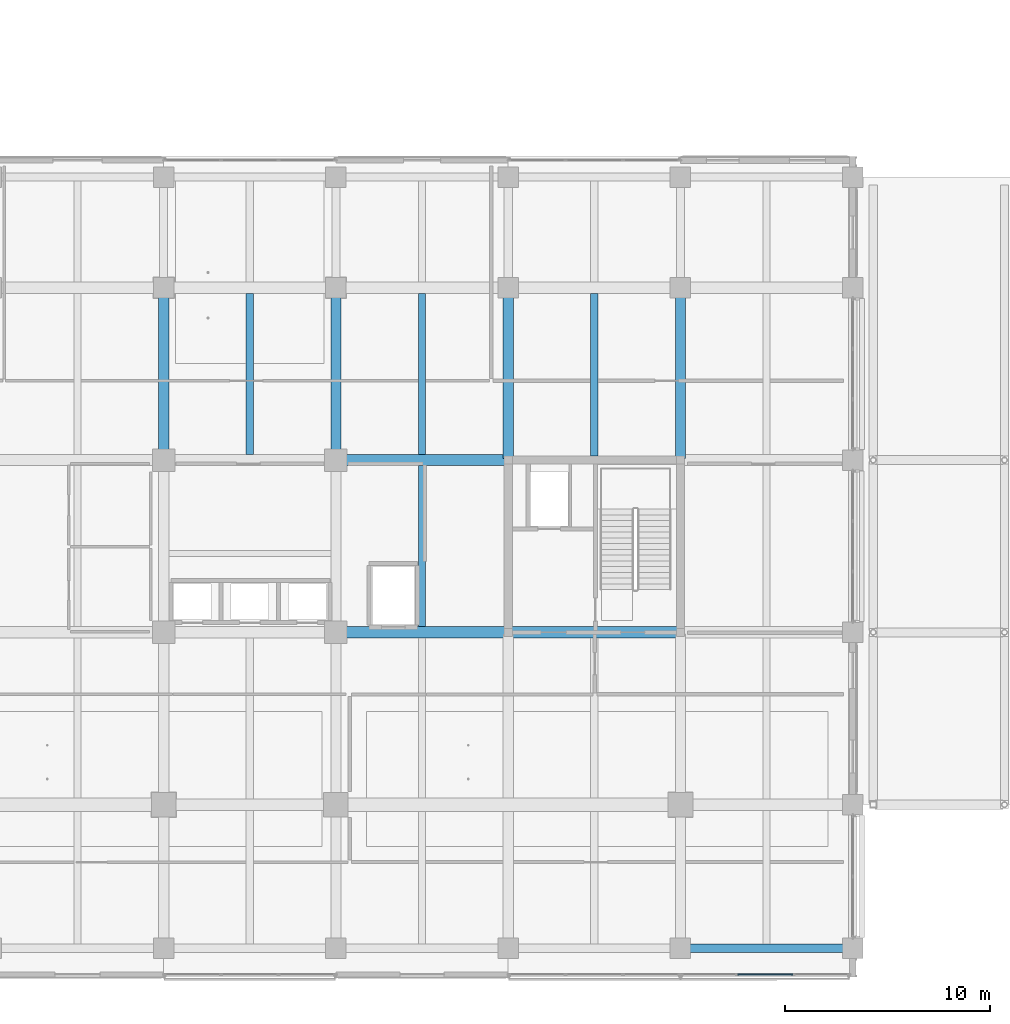
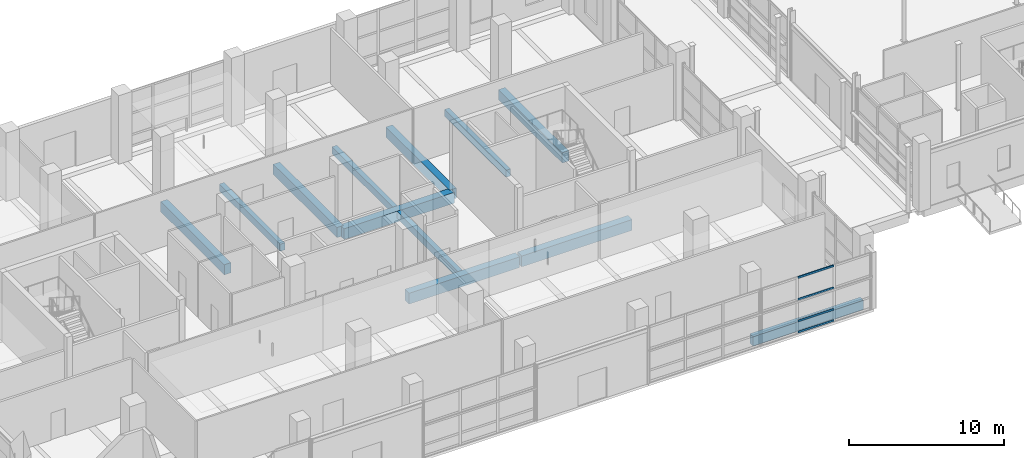
# One storey, part 30 of 140: 12 beams, 4 members, 1 element without a shape of its own.
"""IFC4 building model written with IfcOpenShell, lengths in metres."""

from ifc_helpers import new_model, si_unit, direction, frame, origin, origin_2d, place, context, subcontext, project, spatial, rectangle, extrude, material, layer, layer_set, material_profile, profile_set, type_object, element, aggregate, save


model = new_model("IFC4")

# Units and contexts
model_context = context("Model", 3, precision=1e-05, world=origin(), true_north=direction((0.0, 1.0)))
body_context = subcontext(model_context, "Body", "Model", "MODEL_VIEW")
ifc_project = project(units=[si_unit("LENGTHUNIT", "METRE"), si_unit("AREAUNIT", "SQUARE_METRE"), si_unit("VOLUMEUNIT", "CUBIC_METRE"), si_unit("PLANEANGLEUNIT", "RADIAN"), si_unit("MASSUNIT", "GRAM", prefix="KILO")], contexts=[model_context])

# Site, building, storey
site_placement = place(None, origin())
site = spatial("IfcSite", under=ifc_project, at=site_placement, CompositionType="ELEMENT")
building_placement = place(site_placement, origin())
building = spatial("IfcBuilding", under=site, at=building_placement, Name="Telukmera Botanical Conservatory", CompositionType="ELEMENT")
storey_placement = place(building_placement, origin())
storey = spatial("IfcBuildingStorey", under=building, at=storey_placement, Name="L00", CompositionType="ELEMENT", Elevation=0.0)

# Beams
ifc_material_1 = material(Name="Concrete C40/50", Category="concrete")
ifc_material_profile_1 = material_profile(ifc_material_1, rectangle(XDim=0.35009765625, YDim=0.550048828125, at=origin_2d()), Name="RC 350x550")
ifc_profile_set_1 = profile_set([ifc_material_profile_1], Name="Concrete C40/50")
beam_type_1 = type_object("IfcBeamType", Name="Beam_B21", PredefinedType="JOIST", material=ifc_profile_set_1)
beam_1_placement = place(storey_placement, frame((79.800048828125, 34.675048828125, -0.27490234375), z_axis=(0.0, 1.0, 0.0), x_axis=(-1.0, 0.0, 0.0)))
element("IfcBeam", 1, at=beam_1_placement, inside=storey, type_object=beam_type_1, Name="Tower Secondary Floor Joist L00", PredefinedType="JOIST", context=body_context, shape_type="SweptSolid", body=[
    extrude(rectangle(XDim=0.35009765625, YDim=0.550048828125, at=origin_2d()), origin(), (0.0, 0.0, 1.0), 7.849853515625),
])
beam_2_placement = place(storey_placement, frame((88.199951171875, 26.27490234375, -0.27490234375), z_axis=(0.0, 1.0, 0.0), x_axis=(-1.0, 0.0, 0.0)))
element("IfcBeam", 2, at=beam_2_placement, inside=storey, type_object=beam_type_1, Name="Tower Secondary Floor Joist L00", PredefinedType="JOIST", context=body_context, shape_type="SweptSolid", body=[
    extrude(rectangle(XDim=0.35009765625, YDim=0.550048828125, at=origin_2d()), origin(), (0.0, 0.0, 1.0), 7.85009765625),
])
beam_3_placement = place(storey_placement, frame((88.199951171875, 34.675048828125, -0.27490234375), z_axis=(0.0, 1.0, 0.0), x_axis=(-1.0, 0.0, 0.0)))
element("IfcBeam", 3, at=beam_3_placement, inside=storey, type_object=beam_type_1, Name="Tower Secondary Floor Joist L00", PredefinedType="JOIST", context=body_context, shape_type="SweptSolid", body=[
    extrude(rectangle(XDim=0.35009765625, YDim=0.550048828125, at=origin_2d()), origin(), (0.0, 0.0, 1.0), 7.849853515625),
])
beam_4_placement = place(storey_placement, frame((96.60009765625, 34.60009765625, -0.27490234375), z_axis=(0.0, 1.0, 0.0), x_axis=(-1.0, 0.0, 0.0)))
element("IfcBeam", 4, at=beam_4_placement, inside=storey, type_object=beam_type_1, Name="Tower Secondary Floor Joist L00", PredefinedType="JOIST", context=body_context, shape_type="SweptSolid", body=[
    extrude(rectangle(XDim=0.35009765625, YDim=0.550048828125, at=origin_2d()), origin(), (0.0, 0.0, 1.0), 7.9248046875),
])
ifc_material_profile_2 = material_profile(ifc_material_1, rectangle(XDim=0.550048828125, YDim=0.85009765625, at=origin_2d()), Name="RC 550x850")
ifc_profile_set_2 = profile_set([ifc_material_profile_2], Name="Concrete C40/50")
beam_type_2 = type_object("IfcBeamType", Name="Beam_B4", PredefinedType="BEAM", material=ifc_profile_set_2)
for number, where, z_axis, x_axis, name in (
    (5, (84.080078125, 26.0, -0.425048828125), (1.0, 0.0, 0.0), (0.0, 1.0, 0.0), "Tower Grid Beam L00"),
    (6, (92.47998046875, 26.0, -0.425048828125), (1.0, 0.0, 0.0), (0.0, 1.0, 0.0), "Tower Grid Beam L00"),
    (7, (84.080078125, 34.39990234375, -0.425048828125), (1.0, 0.0, 0.0), (0.0, 1.0, 0.0), "Tower Grid Beam L00"),
):
    element("IfcBeam", number, at=place(storey_placement, frame(where, z_axis=z_axis, x_axis=x_axis)), inside=storey, type_object=beam_type_2, Name=name, PredefinedType="BEAM", context=body_context, shape_type="SweptSolid", body=[
        extrude(rectangle(XDim=0.550048828125, YDim=0.85009765625, at=origin_2d()), origin(), (0.0, 0.0, 1.0), 8.239990234375),
    ])
ifc_material_profile_3 = material_profile(ifc_material_1, rectangle(XDim=0.5, YDim=0.800048828125, at=origin_2d()), Name="RC 500x800")
ifc_profile_set_3 = profile_set([ifc_material_profile_3], Name="Concrete C40/50")
beam_type_3 = type_object("IfcBeamType", Name="Beam_B5", PredefinedType="BEAM", material=ifc_profile_set_3)
for number, where, z_axis, x_axis, name in (
    (8, (75.60009765625, 34.47998046875, -0.39990234375), (0.0, 1.0, 0.0), (-1.0, 0.0, 0.0), "Tower Transverse Beam L00"),
    (9, (84.0, 34.47998046875, -0.39990234375), (0.0, 1.0, 0.0), (-1.0, 0.0, 0.0), "Tower Transverse Beam L00"),
    (10, (92.39990234375, 34.47998046875, -0.39990234375), (0.0, 1.0, 0.0), (-1.0, 0.0, 0.0), "Tower Transverse Beam L00"),
    (11, (100.800048828125, 34.47998046875, -0.39990234375), (0.0, 1.0, 0.0), (-1.0, 0.0, 0.0), "Tower Transverse Beam L00"),
):
    element("IfcBeam", number, at=place(storey_placement, frame(where, z_axis=z_axis, x_axis=x_axis)), inside=storey, type_object=beam_type_3, Name=name, PredefinedType="BEAM", context=body_context, shape_type="SweptSolid", body=[
        extrude(rectangle(XDim=0.5, YDim=0.800048828125, at=origin_2d()), origin(), (0.0, 0.0, 1.0), 8.239990234375),
    ])
ifc_material_2 = material(Name="Precast concrete C40/50", Category="concrete")
ifc_material_profile_4 = material_profile(ifc_material_2, rectangle(XDim=0.39990234375, YDim=0.75, at=origin_2d()), Name="PC 400x750")
ifc_profile_set_4 = profile_set([ifc_material_profile_4], Name="Precast concrete C40/50")
beam_type_4 = type_object("IfcBeamType", Name="Beam_SP1", PredefinedType="SPANDREL", material=ifc_profile_set_4)
beam_5_placement = place(storey_placement, frame((100.8798828125, 10.60009765625, -0.375), z_axis=(1.0, 0.0, 0.0), x_axis=(0.0, 1.0, 0.0)))
element("IfcBeam", 12, at=beam_5_placement, inside=storey, type_object=beam_type_4, Name="Tower Grid Beam L00", PredefinedType="SPANDREL", context=body_context, shape_type="SweptSolid", body=[
    extrude(rectangle(XDim=0.39990234375, YDim=0.75, at=origin_2d()), origin(), (0.0, 0.0, 1.0), 8.240234375),
])

# Curtain wall, members
ifc_material_3 = material(Name="Anodised aluminium 6063-T6", Category="aluminium")
ifc_layer = layer(ifc_material_3, 0.179931640625)
ifc_layer_set = layer_set([ifc_layer], Name="Anodised aluminium 6063-T6")
curtain_wall_type = type_object("IfcCurtainWallType", Name="Tower Boulevard Podium Hall Curtain Wall", PredefinedType="USERDEFINED", material=ifc_layer_set)
curtain_wall_placement = place(storey_placement, origin())
curtain_wall = element("IfcCurtainWall", 13, at=curtain_wall_placement, inside=storey, type_object=curtain_wall_type, Name="Unitised Curtain Wall CW12 V4:L00:S7", ObjectType="UNITISED CURTAIN WALL", PredefinedType="USERDEFINED")
ifc_material_profile_5 = material_profile(ifc_material_3, rectangle(XDim=0.070068359375, YDim=0.14990234375, at=origin_2d()), Name="ALU TRAN 70x150")
ifc_profile_set_5 = profile_set([ifc_material_profile_5], Name="Anodised aluminium 6063-T6")
member_type = type_object("IfcMemberType", Name="Curtain Wall Extruded Transom 70x150", PredefinedType="USERDEFINED", material=ifc_profile_set_5)
member_1_placement = place(storey_placement, frame((103.585693359375, 9.320068359375, 0.074951171875), z_axis=(1.0, 0.0, 0.0), x_axis=(0.0, 1.0, 0.0)))
member_1 = element("IfcMember", 14, at=member_1_placement, type_object=member_type, Name="CW12 transom 2.1", ObjectType="TRANSOM", PredefinedType="USERDEFINED", context=body_context, shape_type="SweptSolid", body=[
    extrude(rectangle(XDim=0.070068359375, YDim=0.14990234375, at=origin_2d()), origin(), (0.0, 0.0, 1.0), 2.6787109375),
])
member_2_placement = place(storey_placement, frame((103.585693359375, 9.320068359375, 0.949951171875), z_axis=(1.0, 0.0, 0.0), x_axis=(0.0, 1.0, 0.0)))
member_2 = element("IfcMember", 15, at=member_2_placement, type_object=member_type, Name="CW12 transom 2.2", ObjectType="TRANSOM", PredefinedType="USERDEFINED", context=body_context, shape_type="SweptSolid", body=[
    extrude(rectangle(XDim=0.070068359375, YDim=0.14990234375, at=origin_2d()), origin(), (0.0, 0.0, 1.0), 2.6787109375),
])
member_3_placement = place(storey_placement, frame((103.585693359375, 9.320068359375, 2.64990234375), z_axis=(1.0, 0.0, 0.0), x_axis=(0.0, 1.0, 0.0)))
member_3 = element("IfcMember", 16, at=member_3_placement, type_object=member_type, Name="CW12 transom 2.3", ObjectType="TRANSOM", PredefinedType="USERDEFINED", context=body_context, shape_type="SweptSolid", body=[
    extrude(rectangle(XDim=0.070068359375, YDim=0.14990234375, at=origin_2d()), origin(), (0.0, 0.0, 1.0), 2.6787109375),
])
member_4_placement = place(storey_placement, frame((103.585693359375, 9.320068359375, 4.375), z_axis=(1.0, 0.0, 0.0), x_axis=(0.0, 1.0, 0.0)))
member_4 = element("IfcMember", 17, at=member_4_placement, type_object=member_type, Name="CW12 transom 2.4", ObjectType="TRANSOM", PredefinedType="USERDEFINED", context=body_context, shape_type="SweptSolid", body=[
    extrude(rectangle(XDim=0.070068359375, YDim=0.14990234375, at=origin_2d()), origin(), (0.0, 0.0, 1.0), 2.6787109375),
])
aggregate(curtain_wall, [member_1, member_2, member_3, member_4])

save(model, "model.ifc")
